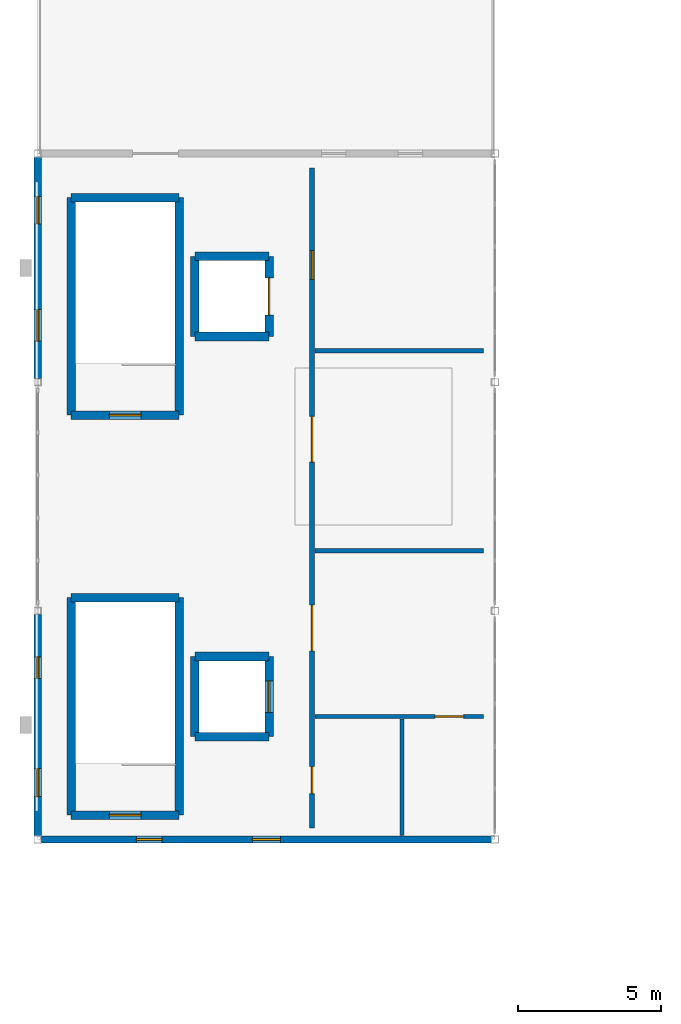
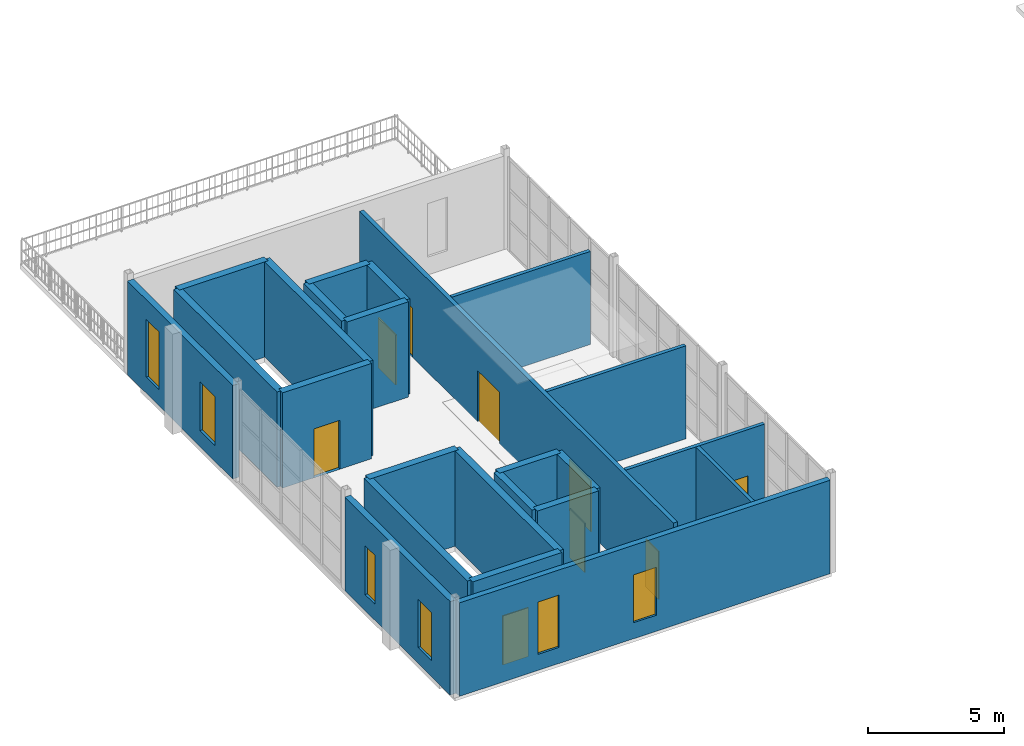
# One storey, part 5 of 9: 24 walls, 9 doors, 6 windows, 15 openings.
"""IFC4 building model written with IfcOpenShell, lengths in metres."""

from ifc_helpers import new_model, si_unit, direction, frame, frame_2d, origin, place, context, subcontext, project, spatial, rectangle, extrude, material, layer, layer_set, type_object, element, fill, save


model = new_model("IFC4")

# Units and contexts
model_context = context("Model", 3, precision=1e-05, world=origin(), true_north=direction((0.0, 1.0)))
body_context = subcontext(model_context, "Body", "Model", "MODEL_VIEW")
ifc_project = project(units=[si_unit("LENGTHUNIT", "METRE"), si_unit("AREAUNIT", "SQUARE_METRE"), si_unit("VOLUMEUNIT", "CUBIC_METRE"), si_unit("PLANEANGLEUNIT", "RADIAN"), si_unit("MASSUNIT", "GRAM", prefix="KILO")], contexts=[model_context])

# Site, building, storey
site_placement = place(None, origin())
site = spatial("IfcSite", under=ifc_project, at=site_placement, CompositionType="ELEMENT")
building_placement = place(site_placement, origin())
building = spatial("IfcBuilding", under=site, at=building_placement, Name="Serraluz Foothill Cableway Terminal", CompositionType="ELEMENT")
storey_placement = place(building_placement, frame((0.0, 0.0, 19.800048828125)))
storey = spatial("IfcBuildingStorey", under=building, at=storey_placement, Name="L04", CompositionType="ELEMENT", Elevation=19.800048828125)

# Wall, openings, windows
ifc_material_1 = material(Name="Andean basalt ashlar masonry (f'm 18 MPa)", Category="masonry")
ifc_layer_1 = layer(ifc_material_1, 0.239990234375, Name="Andean basalt ashlar masonry (f'm 18 MPa)", Category="masonry")
ifc_layer_set_1 = layer_set([ifc_layer_1], Name="Andean basalt ashlar masonry (f'm 18 MPa)")
wall_type_1 = type_object("IfcWallType", Name="TYP-WL-EXT-240", PredefinedType="STANDARD", material=ifc_layer_set_1)
wall_1_placement = place(storey_placement, frame((15.875, 32.0, 0.0), z_axis=(0.0, 0.0, 1.0), x_axis=(-1.0, 0.0, 0.0)))
wall_1 = element("IfcWall", 1, at=wall_1_placement, inside=storey, type_object=wall_type_1, Name="Exterior Masonry Wall EW-V5S-L04", PredefinedType="STANDARD", context=body_context, shape_type="SweptSolid", body=[
    extrude(rectangle(XDim=15.75, YDim=0.239990234375, at=frame_2d((7.875, 0.0))), origin(), (0.0, 0.0, 1.0), 4.199951171875),
])
opening_1_placement = place(wall_1_placement, frame((7.385009765625, 0.0, 0.719970703125)))
opening_1 = element("IfcOpeningElement", 2, at=opening_1_placement, cuts=wall_1, Name="Opening W-49", PredefinedType="OPENING", context=body_context, shape_type="SweptSolid", body=[
    extrude(rectangle(XDim=0.97998046875, YDim=2.14990234375, at=frame_2d((0.489990234375, 1.074951171875))), frame((0.0, 0.1298828125, 0.0), z_axis=(0.0, -1.0, 0.0), x_axis=(1.0, 0.0, 0.0)), (0.0, 0.0, 1.0), 0.260009765625),
])
opening_2_placement = place(wall_1_placement, frame((11.52001953125, 0.0, 0.719970703125)))
opening_2 = element("IfcOpeningElement", 3, at=opening_2_placement, cuts=wall_1, Name="Opening W-37", PredefinedType="OPENING", context=body_context, shape_type="SweptSolid", body=[
    extrude(rectangle(XDim=0.89990234375, YDim=2.35009765625, at=frame_2d((0.449951171875, 1.175048828125))), frame((0.0, 0.1298828125, 0.0), z_axis=(0.0, -1.0, 0.0), x_axis=(1.0, 0.0, 0.0)), (0.0, 0.0, 1.0), 0.260009765625),
])
ifc_material_2 = material(Name="Laminated low-E safety glass", Category="glass")
window_type_1 = type_object("IfcWindowType", Name="TYP-WN-090X235", PartitioningType="SINGLE_PANEL", PredefinedType="WINDOW", material=ifc_material_2)
window_1_placement = place(opening_2_placement, origin())
window_1 = element("IfcWindow", 4, at=window_1_placement, inside=storey, type_object=window_type_1, Name="Exterior Window EW-V5S-L04-WN3", OverallHeight=2.35009765625, OverallWidth=0.89990234375, PartitioningType="SINGLE_PANEL", PredefinedType="WINDOW", context=body_context, shape_type="SweptSolid", body=[
    extrude(rectangle(XDim=0.89990234375, YDim=2.35009765625, at=frame_2d((0.449951171875, 1.175048828125))), frame((0.0, 0.030029296875, 0.0), z_axis=(0.0, -1.0, 0.0), x_axis=(1.0, 0.0, 0.0)), (0.0, 0.0, 1.0), 0.06005859375),
])
fill(opening_2, window_1)
window_type_2 = type_object("IfcWindowType", Name="TYP-WN-098X215", PartitioningType="SINGLE_PANEL", PredefinedType="WINDOW", material=ifc_material_2)
window_2_placement = place(opening_1_placement, origin())
window_2 = element("IfcWindow", 5, at=window_2_placement, inside=storey, type_object=window_type_2, Name="Exterior Window EW-V5S-L04-WN2", OverallHeight=2.14990234375, OverallWidth=0.97998046875, PartitioningType="SINGLE_PANEL", PredefinedType="WINDOW", context=body_context, shape_type="SweptSolid", body=[
    extrude(rectangle(XDim=0.97998046875, YDim=2.14990234375, at=frame_2d((0.489990234375, 1.074951171875))), frame((0.0, 0.030029296875, 0.0), z_axis=(0.0, -1.0, 0.0), x_axis=(1.0, 0.0, 0.0)), (0.0, 0.0, 1.0), 0.06005859375),
])
fill(opening_1, window_2)

ifc_material_3 = material(Name="Fired clay masonry brick (f'm 12 MPa)", Category="masonry")
ifc_layer_2 = layer(ifc_material_3, 0.260009765625, Name="Fired clay masonry brick (f'm 12 MPa)", Category="masonry")
ifc_layer_set_2 = layer_set([ifc_layer_2], Name="Fired clay masonry brick (f'm 12 MPa)")
wall_type_2 = type_object("IfcWallType", Name="TYP-WL-EXT-260", PredefinedType="STANDARD", material=ifc_layer_set_2)
wall_2_placement = place(storey_placement, frame((0.0, 32.125, 0.0), z_axis=(0.0, 0.0, 1.0), x_axis=(0.0, 1.0, 0.0)))
wall_2 = element("IfcWall", 6, at=wall_2_placement, inside=storey, type_object=wall_type_2, Name="Exterior Masonry Wall EW-V5W-L04-32", PredefinedType="STANDARD", context=body_context, shape_type="SweptSolid", body=[
    extrude(rectangle(XDim=7.75, YDim=0.260009765625, at=frame_2d((3.875, 0.0))), origin(), (0.0, 0.0, 1.0), 4.199951171875),
])
opening_3_placement = place(wall_2_placement, frame((1.3701171875, 0.0, 0.719970703125)))
opening_3 = element("IfcOpeningElement", 7, at=opening_3_placement, cuts=wall_2, Name="Opening W-49", PredefinedType="OPENING", context=body_context, shape_type="SweptSolid", body=[
    extrude(rectangle(XDim=0.97998046875, YDim=2.14990234375, at=frame_2d((0.489990234375, 1.074951171875))), frame((0.0, 0.14013671875, 0.0), z_axis=(0.0, -1.0, 0.0), x_axis=(1.0, 0.0, 0.0)), (0.0, 0.0, 1.0), 0.280029296875),
])
opening_4_placement = place(wall_2_placement, frame((5.514892578125, 0.0, 0.719970703125)))
opening_4 = element("IfcOpeningElement", 8, at=opening_4_placement, cuts=wall_2, Name="Opening W-01", PredefinedType="OPENING", context=body_context, shape_type="SweptSolid", body=[
    extrude(rectangle(XDim=0.75, YDim=2.199951171875, at=frame_2d((0.375, 1.10009765625))), frame((0.0, 0.14013671875, 0.0), z_axis=(0.0, -1.0, 0.0), x_axis=(1.0, 0.0, 0.0)), (0.0, 0.0, 1.0), 0.280029296875),
])
window_type_3 = type_object("IfcWindowType", Name="TYP-WN-075X220", PartitioningType="SINGLE_PANEL", PredefinedType="WINDOW", material=ifc_material_2)
window_3_placement = place(opening_4_placement, origin())
window_3 = element("IfcWindow", 9, at=window_3_placement, inside=storey, type_object=window_type_3, Name="Exterior Window EW-V5W-L04-32-WN3", OverallHeight=2.199951171875, OverallWidth=0.75, PartitioningType="SINGLE_PANEL", PredefinedType="WINDOW", context=body_context, shape_type="SweptSolid", body=[
    extrude(rectangle(XDim=0.75, YDim=2.199951171875, at=frame_2d((0.375, 1.10009765625))), frame((0.0, 0.030029296875, 0.0), z_axis=(0.0, -1.0, 0.0), x_axis=(1.0, 0.0, 0.0)), (0.0, 0.0, 1.0), 0.06005859375),
])
fill(opening_4, window_3)
window_4_placement = place(opening_3_placement, origin())
window_4 = element("IfcWindow", 10, at=window_4_placement, inside=storey, type_object=window_type_2, Name="Exterior Window EW-V5W-L04-32-WN1", OverallHeight=2.14990234375, OverallWidth=0.97998046875, PartitioningType="SINGLE_PANEL", PredefinedType="WINDOW", context=body_context, shape_type="SweptSolid", body=[
    extrude(rectangle(XDim=0.97998046875, YDim=2.14990234375, at=frame_2d((0.489990234375, 1.074951171875))), frame((0.0, 0.030029296875, 0.0), z_axis=(0.0, -1.0, 0.0), x_axis=(1.0, 0.0, 0.0)), (0.0, 0.0, 1.0), 0.06005859375),
])
fill(opening_3, window_4)

wall_3_placement = place(storey_placement, frame((0.0, 48.125, 0.0), z_axis=(0.0, 0.0, 1.0), x_axis=(0.0, 1.0, 0.0)))
wall_3 = element("IfcWall", 11, at=wall_3_placement, inside=storey, type_object=wall_type_2, Name="Exterior Masonry Wall EW-V5W-L04-48", PredefinedType="STANDARD", context=body_context, shape_type="SweptSolid", body=[
    extrude(rectangle(XDim=7.75, YDim=0.260009765625, at=frame_2d((3.875, 0.0))), origin(), (0.0, 0.0, 1.0), 4.199951171875),
])
opening_5_placement = place(wall_3_placement, frame((1.31005859375, 0.0, 0.719970703125)))
opening_5 = element("IfcOpeningElement", 12, at=opening_5_placement, cuts=wall_3, Name="Opening W-04", PredefinedType="OPENING", context=body_context, shape_type="SweptSolid", body=[
    extrude(rectangle(XDim=1.10009765625, YDim=2.199951171875, at=frame_2d((0.550048828125, 1.10009765625))), frame((0.0, 0.14013671875, 0.0), z_axis=(0.0, -1.0, 0.0), x_axis=(1.0, 0.0, 0.0)), (0.0, 0.0, 1.0), 0.280029296875),
])
opening_6_placement = place(wall_3_placement, frame((5.4150390625, 0.0, 0.719970703125)))
opening_6 = element("IfcOpeningElement", 13, at=opening_6_placement, cuts=wall_3, Name="Opening W-03", PredefinedType="OPENING", context=body_context, shape_type="SweptSolid", body=[
    extrude(rectangle(XDim=0.949951171875, YDim=2.60009765625, at=frame_2d((0.47509765625, 1.300048828125))), frame((0.0, 0.14013671875, 0.0), z_axis=(0.0, -1.0, 0.0), x_axis=(1.0, 0.0, 0.0)), (0.0, 0.0, 1.0), 0.280029296875),
])
window_type_4 = type_object("IfcWindowType", Name="TYP-WN-095X260", PartitioningType="SINGLE_PANEL", PredefinedType="WINDOW", material=ifc_material_2)
window_5_placement = place(opening_6_placement, origin())
window_5 = element("IfcWindow", 14, at=window_5_placement, inside=storey, type_object=window_type_4, Name="Exterior Window EW-V5W-L04-48-WN3", OverallHeight=2.60009765625, OverallWidth=0.949951171875, PartitioningType="SINGLE_PANEL", PredefinedType="WINDOW", context=body_context, shape_type="SweptSolid", body=[
    extrude(rectangle(XDim=0.949951171875, YDim=2.60009765625, at=frame_2d((0.47509765625, 1.300048828125))), frame((0.0, 0.030029296875, 0.0), z_axis=(0.0, -1.0, 0.0), x_axis=(1.0, 0.0, 0.0)), (0.0, 0.0, 1.0), 0.06005859375),
])
fill(opening_6, window_5)
window_type_5 = type_object("IfcWindowType", Name="TYP-WN-110X220", PartitioningType="SINGLE_PANEL", PredefinedType="WINDOW", material=ifc_material_2)
window_6_placement = place(opening_5_placement, origin())
window_6 = element("IfcWindow", 15, at=window_6_placement, inside=storey, type_object=window_type_5, Name="Exterior Window EW-V5W-L04-48-WN1", OverallHeight=2.199951171875, OverallWidth=1.10009765625, PartitioningType="SINGLE_PANEL", PredefinedType="WINDOW", context=body_context, shape_type="SweptSolid", body=[
    extrude(rectangle(XDim=1.10009765625, YDim=2.199951171875, at=frame_2d((0.550048828125, 1.10009765625))), frame((0.0, 0.030029296875, 0.0), z_axis=(0.0, -1.0, 0.0), x_axis=(1.0, 0.0, 0.0)), (0.0, 0.0, 1.0), 0.06005859375),
])
fill(opening_5, window_6)

# Walls
ifc_material_4 = material(Name="Lightweight gypsum and steel stud partition", Category="steel")
ifc_layer_3 = layer(ifc_material_4, 0.14990234375, Name="Lightweight gypsum and steel stud partition", Category="steel")
ifc_layer_set_3 = layer_set([ifc_layer_3], Name="Lightweight gypsum and steel stud partition")
wall_type_3 = type_object("IfcWallType", Name="TYP-WL-PRT-150", PredefinedType="PARTITIONING", material=ifc_layer_set_3)
for number, where, z_axis, x_axis, name in (
    (16, (9.699951171875, 49.10009765625, 0.0), (0.0, 0.0, 1.0), (1.0, 0.0, 0.0), "Interior Partition PT-L04-02"),
    (17, (9.699951171875, 42.10009765625, 0.0), (0.0, 0.0, 1.0), (1.0, 0.0, 0.0), "Interior Partition PT-L04-03"),
):
    element("IfcWall", number, at=place(storey_placement, frame(where, z_axis=z_axis, x_axis=x_axis)), inside=storey, type_object=wall_type_3, Name=name, PredefinedType="PARTITIONING", context=body_context, shape_type="SweptSolid", body=[
        extrude(rectangle(XDim=5.900146484375, YDim=0.14990234375, at=frame_2d((2.9501953125, 0.0))), origin(), (0.0, 0.0, 1.0), 4.179931640625),
    ])

# Wall, opening, door
wall_4_placement = place(storey_placement, frame((9.699951171875, 36.300048828125, 0.0), z_axis=(0.0, 0.0, 1.0), x_axis=(1.0, 0.0, 0.0)))
wall_4 = element("IfcWall", 18, at=wall_4_placement, inside=storey, type_object=wall_type_3, Name="Interior Partition PT-L04-04", PredefinedType="PARTITIONING", context=body_context, shape_type="SweptSolid", body=[
    extrude(rectangle(XDim=5.900146484375, YDim=0.14990234375, at=frame_2d((2.9501953125, 0.0))), origin(), (0.0, 0.0, 1.0), 4.179931640625),
])
opening_7_placement = place(wall_4_placement, frame((4.199951171875, 0.0, 0.0)))
opening_7 = element("IfcOpeningElement", 19, at=opening_7_placement, cuts=wall_4, Name="Opening DI-04", PredefinedType="OPENING", context=body_context, shape_type="SweptSolid", body=[
    extrude(rectangle(XDim=1.0, YDim=2.10009765625, at=frame_2d((0.5, 1.050048828125))), frame((0.0, 0.0849609375, 0.0), z_axis=(0.0, -1.0, 0.0), x_axis=(1.0, 0.0, 0.0)), (0.0, 0.0, 1.0), 0.169921875),
])
ifc_material_5 = material(Name="Kiln-dried Andean oak hardwood", Category="wood")
door_type_1 = type_object("IfcDoorType", Name="TYP-DR-ACC-1000", OperationType="NOTDEFINED", PredefinedType="DOOR", material=ifc_material_5)
door_1_placement = place(opening_7_placement, origin())
door_1 = element("IfcDoor", 20, at=door_1_placement, inside=storey, type_object=door_type_1, Name="Interior Door PT-L04-04-DR1", OperationType="SINGLE_SWING_LEFT", OverallHeight=2.10009765625, OverallWidth=1.0, PredefinedType="DOOR", context=body_context, shape_type="SweptSolid", body=[
    extrude(rectangle(XDim=1.0, YDim=2.10009765625, at=frame_2d((0.5, 1.050048828125))), frame((0.0, 0.02490234375, 0.0), z_axis=(0.0, -1.0, 0.0), x_axis=(1.0, 0.0, 0.0)), (0.0, 0.0, 1.0), 0.050048828125),
])
fill(opening_7, door_1)

# Wall
wall_5_placement = place(storey_placement, frame((12.75, 32.1298828125, 0.0), z_axis=(0.0, 0.0, 1.0), x_axis=(0.0, 1.0, 0.0)))
element("IfcWall", 21, at=wall_5_placement, inside=storey, type_object=wall_type_3, Name="Interior Partition PT-L04-05E", PredefinedType="PARTITIONING", context=body_context, shape_type="SweptSolid", body=[
    extrude(rectangle(XDim=4.090087890625, YDim=0.14990234375, at=frame_2d((2.044921875, 0.0))), origin(), (0.0, 0.0, 1.0), 4.179931640625),
])

# Wall, openings, doors
ifc_layer_4 = layer(ifc_material_3, 0.179931640625, Name="Fired clay masonry brick (f'm 12 MPa)", Category="masonry")
ifc_layer_set_4 = layer_set([ifc_layer_4], Name="Fired clay masonry brick (f'm 12 MPa)")
wall_type_4 = type_object("IfcWallType", Name="TYP-WL-PRT-180", PredefinedType="PARTITIONING", material=ifc_layer_set_4)
wall_6_placement = place(storey_placement, frame((9.60009765625, 32.39990234375, 0.0), z_axis=(0.0, 0.0, 1.0), x_axis=(0.0, 1.0, 0.0)))
wall_6 = element("IfcWall", 22, at=wall_6_placement, inside=storey, type_object=wall_type_4, Name="Interior Partition PT-L04-01", PredefinedType="PARTITIONING", context=body_context, shape_type="SweptSolid", body=[
    extrude(rectangle(XDim=23.10009765625, YDim=0.179931640625, at=frame_2d((11.550048828125, 0.0))), origin(), (0.0, 0.0, 1.0), 4.179931640625),
])
opening_8_placement = place(wall_6_placement, frame((1.199951171875, 0.0, 0.0)))
opening_8 = element("IfcOpeningElement", 23, at=opening_8_placement, cuts=wall_6, Name="Opening DI-02", PredefinedType="OPENING", context=body_context, shape_type="SweptSolid", body=[
    extrude(rectangle(XDim=0.949951171875, YDim=2.14990234375, at=frame_2d((0.47509765625, 1.074951171875))), frame((0.0, 0.10009765625, 0.0), z_axis=(0.0, -1.0, 0.0), x_axis=(1.0, 0.0, 0.0)), (0.0, 0.0, 1.0), 0.199951171875),
])
opening_9_placement = place(wall_6_placement, frame((6.199951171875, 0.0, 0.0)))
opening_9 = element("IfcOpeningElement", 24, at=opening_9_placement, cuts=wall_6, Name="Opening DI-05", PredefinedType="OPENING", context=body_context, shape_type="SweptSolid", body=[
    extrude(rectangle(XDim=1.60009765625, YDim=2.300048828125, at=frame_2d((0.800048828125, 1.14990234375))), frame((0.0, 0.10009765625, 0.0), z_axis=(0.0, -1.0, 0.0), x_axis=(1.0, 0.0, 0.0)), (0.0, 0.0, 1.0), 0.199951171875),
])
opening_10_placement = place(wall_6_placement, frame((12.800048828125, 0.0, 0.0)))
opening_10 = element("IfcOpeningElement", 25, at=opening_10_placement, cuts=wall_6, Name="Opening DI-05", PredefinedType="OPENING", context=body_context, shape_type="SweptSolid", body=[
    extrude(rectangle(XDim=1.60009765625, YDim=2.300048828125, at=frame_2d((0.800048828125, 1.14990234375))), frame((0.0, 0.10009765625, 0.0), z_axis=(0.0, -1.0, 0.0), x_axis=(1.0, 0.0, 0.0)), (0.0, 0.0, 1.0), 0.199951171875),
])
opening_11_placement = place(wall_6_placement, frame((19.199951171875, 0.0, 0.0)))
opening_11 = element("IfcOpeningElement", 26, at=opening_11_placement, cuts=wall_6, Name="Opening DI-03", PredefinedType="OPENING", context=body_context, shape_type="SweptSolid", body=[
    extrude(rectangle(XDim=1.0, YDim=2.199951171875, at=frame_2d((0.5, 1.10009765625))), frame((0.0, 0.10009765625, 0.0), z_axis=(0.0, -1.0, 0.0), x_axis=(1.0, 0.0, 0.0)), (0.0, 0.0, 1.0), 0.199951171875),
])
ifc_material_6 = material(Name="Architectural bronze alloy C28000", Category="aluminium")
door_type_2 = type_object("IfcDoorType", Name="TYP-DR-DBL-1600", OperationType="DOUBLE_DOOR_SINGLE_SWING", PredefinedType="DOOR", material=ifc_material_6)
door_2_placement = place(opening_9_placement, origin())
door_2 = element("IfcDoor", 27, at=door_2_placement, inside=storey, type_object=door_type_2, Name="Interior Door PT-L04-01-DR2", OperationType="DOUBLE_DOOR_SINGLE_SWING", OverallHeight=2.300048828125, OverallWidth=1.60009765625, PredefinedType="DOOR", context=body_context, shape_type="SweptSolid", body=[
    extrude(rectangle(XDim=1.60009765625, YDim=2.300048828125, at=frame_2d((0.800048828125, 1.14990234375))), frame((0.0, 0.02490234375, 0.0), z_axis=(0.0, -1.0, 0.0), x_axis=(1.0, 0.0, 0.0)), (0.0, 0.0, 1.0), 0.050048828125),
])
fill(opening_9, door_2)
door_3_placement = place(opening_10_placement, origin())
door_3 = element("IfcDoor", 28, at=door_3_placement, inside=storey, type_object=door_type_2, Name="Interior Door PT-L04-01-DR3", OperationType="DOUBLE_DOOR_SINGLE_SWING", OverallHeight=2.300048828125, OverallWidth=1.60009765625, PredefinedType="DOOR", context=body_context, shape_type="SweptSolid", body=[
    extrude(rectangle(XDim=1.60009765625, YDim=2.300048828125, at=frame_2d((0.800048828125, 1.14990234375))), frame((0.0, 0.02490234375, 0.0), z_axis=(0.0, -1.0, 0.0), x_axis=(1.0, 0.0, 0.0)), (0.0, 0.0, 1.0), 0.050048828125),
])
fill(opening_10, door_3)
door_type_3 = type_object("IfcDoorType", Name="TYP-DR-SGL-1000", OperationType="NOTDEFINED", PredefinedType="DOOR", material=ifc_material_5)
door_4_placement = place(opening_11_placement, origin())
door_4 = element("IfcDoor", 29, at=door_4_placement, inside=storey, type_object=door_type_3, Name="Interior Door PT-L04-01-DR4", OperationType="SINGLE_SWING_RIGHT", OverallHeight=2.199951171875, OverallWidth=1.0, PredefinedType="DOOR", context=body_context, shape_type="SweptSolid", body=[
    extrude(rectangle(XDim=1.0, YDim=2.199951171875, at=frame_2d((0.5, 1.10009765625))), frame((0.0, 0.02490234375, 0.0), z_axis=(0.0, -1.0, 0.0), x_axis=(1.0, 0.0, 0.0)), (0.0, 0.0, 1.0), 0.050048828125),
])
fill(opening_11, door_4)
door_type_4 = type_object("IfcDoorType", Name="TYP-DR-SGL-950", OperationType="NOTDEFINED", PredefinedType="DOOR", material=ifc_material_5)
door_5_placement = place(opening_8_placement, origin())
door_5 = element("IfcDoor", 30, at=door_5_placement, inside=storey, type_object=door_type_4, Name="Interior Door PT-L04-01-DR1", OperationType="SINGLE_SWING_LEFT", OverallHeight=2.14990234375, OverallWidth=0.949951171875, PredefinedType="DOOR", context=body_context, shape_type="SweptSolid", body=[
    extrude(rectangle(XDim=0.949951171875, YDim=2.14990234375, at=frame_2d((0.47509765625, 1.074951171875))), frame((0.0, 0.02490234375, 0.0), z_axis=(0.0, -1.0, 0.0), x_axis=(1.0, 0.0, 0.0)), (0.0, 0.0, 1.0), 0.050048828125),
])
fill(opening_8, door_5)

# Wall, opening, door
ifc_material_7 = material(Name="Concrete C35/45 (f'c 35 MPa)", Category="concrete")
ifc_layer_5 = layer(ifc_material_7, 0.300048828125, Name="Concrete C35/45 (f'c 35 MPa)", Category="concrete")
ifc_layer_set_5 = layer_set([ifc_layer_5], Name="Concrete C35/45 (f'c 35 MPa)")
wall_type_5 = type_object("IfcWallType", Name="TYP-WL-SHR-350", PredefinedType="SHEAR", material=ifc_layer_set_5)
wall_7_placement = place(storey_placement, frame((4.949951171875, 46.85009765625, 0.0), z_axis=(0.0, 0.0, 1.0), x_axis=(-1.0, 0.0, 0.0)))
wall_7 = element("IfcWall", 31, at=wall_7_placement, inside=storey, type_object=wall_type_5, Name="Stair Core Shear Wall CW-ST-01-L04-S", PredefinedType="SHEAR", context=body_context, shape_type="SweptSolid", body=[
    extrude(rectangle(XDim=3.780029296875, YDim=0.300048828125, at=frame_2d((1.89013671875, 0.0))), origin(), (0.0, 0.0, 1.0), 4.280029296875),
])
opening_12_placement = place(wall_7_placement, frame((1.340087890625, 0.0, 0.0)))
opening_12 = element("IfcOpeningElement", 32, at=opening_12_placement, cuts=wall_7, Name="Opening DF-07", PredefinedType="OPENING", context=body_context, shape_type="SweptSolid", body=[
    extrude(rectangle(XDim=1.10009765625, YDim=2.199951171875, at=frame_2d((0.550048828125, 1.10009765625))), frame((0.0, 0.16015625, 0.0), z_axis=(0.0, -1.0, 0.0), x_axis=(1.0, 0.0, 0.0)), (0.0, 0.0, 1.0), 0.320068359375),
])
ifc_material_8 = material(Name="Galvanized hollow-metal steel sheet", Category="steel")
door_type_5 = type_object("IfcDoorType", Name="TYP-DR-FD60-1100", OperationType="NOTDEFINED", PredefinedType="DOOR", material=ifc_material_8)
door_6_placement = place(opening_12_placement, origin())
door_6 = element("IfcDoor", 33, at=door_6_placement, inside=storey, type_object=door_type_5, Name="Exit Stair Fire Door ST-01 L04", OperationType="SINGLE_SWING_RIGHT", OverallHeight=2.199951171875, OverallWidth=1.10009765625, PredefinedType="DOOR", context=body_context, shape_type="SweptSolid", body=[
    extrude(rectangle(XDim=1.10009765625, YDim=2.199951171875, at=frame_2d((0.550048828125, 1.10009765625))), frame((0.0, 0.02490234375, 0.0), z_axis=(0.0, -1.0, 0.0), x_axis=(1.0, 0.0, 0.0)), (0.0, 0.0, 1.0), 0.050048828125),
])
fill(opening_12, door_6)

# Walls
wall_8_placement = place(storey_placement, frame((1.169921875, 46.85009765625, 0.0), z_axis=(0.0, 0.0, 1.0), x_axis=(0.0, 1.0, 0.0)))
element("IfcWall", 34, at=wall_8_placement, inside=storey, type_object=wall_type_5, Name="Stair Core Shear Wall CW-ST-01-L04-W", PredefinedType="SHEAR", context=body_context, shape_type="SweptSolid", body=[
    extrude(rectangle(XDim=7.60986328125, YDim=0.300048828125, at=frame_2d((3.804931640625, 0.0))), origin(), (0.0, 0.0, 1.0), 4.280029296875),
])
wall_9_placement = place(storey_placement, frame((1.169921875, 54.4599609375, 0.0), z_axis=(0.0, 0.0, 1.0), x_axis=(1.0, 0.0, 0.0)))
element("IfcWall", 35, at=wall_9_placement, inside=storey, type_object=wall_type_5, Name="Stair Core Shear Wall CW-ST-01-L04-N", PredefinedType="SHEAR", context=body_context, shape_type="SweptSolid", body=[
    extrude(rectangle(XDim=3.780029296875, YDim=0.300048828125, at=frame_2d((1.89013671875, 0.0))), origin(), (0.0, 0.0, 1.0), 4.280029296875),
])
wall_10_placement = place(storey_placement, frame((4.949951171875, 54.4599609375, 0.0), z_axis=(0.0, 0.0, 1.0), x_axis=(0.0, -1.0, 0.0)))
element("IfcWall", 36, at=wall_10_placement, inside=storey, type_object=wall_type_5, Name="Stair Core Shear Wall CW-ST-01-L04-E", PredefinedType="SHEAR", context=body_context, shape_type="SweptSolid", body=[
    extrude(rectangle(XDim=7.60986328125, YDim=0.300048828125, at=frame_2d((3.804931640625, 0.0))), origin(), (0.0, 0.0, 1.0), 4.280029296875),
])

# Wall, opening, door
wall_11_placement = place(storey_placement, frame((4.949951171875, 32.85009765625, 0.0), z_axis=(0.0, 0.0, 1.0), x_axis=(-1.0, 0.0, 0.0)))
wall_11 = element("IfcWall", 37, at=wall_11_placement, inside=storey, type_object=wall_type_5, Name="Stair Core Shear Wall CW-ST-02-L04-S", PredefinedType="SHEAR", context=body_context, shape_type="SweptSolid", body=[
    extrude(rectangle(XDim=3.780029296875, YDim=0.300048828125, at=frame_2d((1.89013671875, 0.0))), origin(), (0.0, 0.0, 1.0), 4.280029296875),
])
opening_13_placement = place(wall_11_placement, frame((1.340087890625, 0.0, 0.0)))
opening_13 = element("IfcOpeningElement", 38, at=opening_13_placement, cuts=wall_11, Name="Opening DF-07", PredefinedType="OPENING", context=body_context, shape_type="SweptSolid", body=[
    extrude(rectangle(XDim=1.10009765625, YDim=2.199951171875, at=frame_2d((0.550048828125, 1.10009765625))), frame((0.0, 0.16015625, 0.0), z_axis=(0.0, -1.0, 0.0), x_axis=(1.0, 0.0, 0.0)), (0.0, 0.0, 1.0), 0.320068359375),
])
door_7_placement = place(opening_13_placement, origin())
door_7 = element("IfcDoor", 39, at=door_7_placement, inside=storey, type_object=door_type_5, Name="Exit Stair Fire Door ST-02 L04", OperationType="SINGLE_SWING_LEFT", OverallHeight=2.199951171875, OverallWidth=1.10009765625, PredefinedType="DOOR", context=body_context, shape_type="SweptSolid", body=[
    extrude(rectangle(XDim=1.10009765625, YDim=2.199951171875, at=frame_2d((0.550048828125, 1.10009765625))), frame((0.0, 0.02490234375, 0.0), z_axis=(0.0, -1.0, 0.0), x_axis=(1.0, 0.0, 0.0)), (0.0, 0.0, 1.0), 0.050048828125),
])
fill(opening_13, door_7)

# Walls
wall_12_placement = place(storey_placement, frame((1.169921875, 32.85009765625, 0.0), z_axis=(0.0, 0.0, 1.0), x_axis=(0.0, 1.0, 0.0)))
element("IfcWall", 40, at=wall_12_placement, inside=storey, type_object=wall_type_5, Name="Stair Core Shear Wall CW-ST-02-L04-W", PredefinedType="SHEAR", context=body_context, shape_type="SweptSolid", body=[
    extrude(rectangle(XDim=7.60986328125, YDim=0.300048828125, at=frame_2d((3.804931640625, 0.0))), origin(), (0.0, 0.0, 1.0), 4.280029296875),
])
wall_13_placement = place(storey_placement, frame((1.169921875, 40.4599609375, 0.0), z_axis=(0.0, 0.0, 1.0), x_axis=(1.0, 0.0, 0.0)))
element("IfcWall", 41, at=wall_13_placement, inside=storey, type_object=wall_type_5, Name="Stair Core Shear Wall CW-ST-02-L04-N", PredefinedType="SHEAR", context=body_context, shape_type="SweptSolid", body=[
    extrude(rectangle(XDim=3.780029296875, YDim=0.300048828125, at=frame_2d((1.89013671875, 0.0))), origin(), (0.0, 0.0, 1.0), 4.280029296875),
])
wall_14_placement = place(storey_placement, frame((4.949951171875, 40.4599609375, 0.0), z_axis=(0.0, 0.0, 1.0), x_axis=(0.0, -1.0, 0.0)))
element("IfcWall", 42, at=wall_14_placement, inside=storey, type_object=wall_type_5, Name="Stair Core Shear Wall CW-ST-02-L04-E", PredefinedType="SHEAR", context=body_context, shape_type="SweptSolid", body=[
    extrude(rectangle(XDim=7.60986328125, YDim=0.300048828125, at=frame_2d((3.804931640625, 0.0))), origin(), (0.0, 0.0, 1.0), 4.280029296875),
])
wall_15_placement = place(storey_placement, frame((8.10009765625, 49.60009765625, 0.0), z_axis=(0.0, 0.0, 1.0), x_axis=(-1.0, 0.0, 0.0)))
element("IfcWall", 43, at=wall_15_placement, inside=storey, type_object=wall_type_5, Name="Lift Shaft Shear Wall LW-LF-01-L04-S", PredefinedType="SHEAR", context=body_context, shape_type="SweptSolid", body=[
    extrude(rectangle(XDim=2.60009765625, YDim=0.300048828125, at=frame_2d((1.300048828125, 0.0))), origin(), (0.0, 0.0, 1.0), 4.280029296875),
])
wall_16_placement = place(storey_placement, frame((5.5, 49.60009765625, 0.0), z_axis=(0.0, 0.0, 1.0), x_axis=(0.0, 1.0, 0.0)))
element("IfcWall", 44, at=wall_16_placement, inside=storey, type_object=wall_type_5, Name="Lift Shaft Shear Wall LW-LF-01-L04-W", PredefinedType="SHEAR", context=body_context, shape_type="SweptSolid", body=[
    extrude(rectangle(XDim=2.7998046875, YDim=0.300048828125, at=frame_2d((1.39990234375, 0.0))), origin(), (0.0, 0.0, 1.0), 4.280029296875),
])
wall_17_placement = place(storey_placement, frame((5.5, 52.39990234375, 0.0), z_axis=(0.0, 0.0, 1.0), x_axis=(1.0, 0.0, 0.0)))
element("IfcWall", 45, at=wall_17_placement, inside=storey, type_object=wall_type_5, Name="Lift Shaft Shear Wall LW-LF-01-L04-N", PredefinedType="SHEAR", context=body_context, shape_type="SweptSolid", body=[
    extrude(rectangle(XDim=2.60009765625, YDim=0.300048828125, at=frame_2d((1.300048828125, 0.0))), origin(), (0.0, 0.0, 1.0), 4.280029296875),
])

# Wall, opening, door
wall_18_placement = place(storey_placement, frame((8.10009765625, 52.39990234375, 0.0), z_axis=(0.0, 0.0, 1.0), x_axis=(0.0, -1.0, 0.0)))
wall_18 = element("IfcWall", 46, at=wall_18_placement, inside=storey, type_object=wall_type_5, Name="Lift Shaft Shear Wall LW-LF-01-L04-E", PredefinedType="SHEAR", context=body_context, shape_type="SweptSolid", body=[
    extrude(rectangle(XDim=2.7998046875, YDim=0.300048828125, at=frame_2d((1.39990234375, 0.0))), origin(), (0.0, 0.0, 1.0), 4.280029296875),
])
opening_14_placement = place(wall_18_placement, frame((0.75, 0.0, 0.0)))
opening_14 = element("IfcOpeningElement", 47, at=opening_14_placement, cuts=wall_18, Name="Opening LD-02", PredefinedType="OPENING", context=body_context, shape_type="SweptSolid", body=[
    extrude(rectangle(XDim=1.300048828125, YDim=2.25, at=frame_2d((0.64990234375, 1.125))), frame((0.0, 0.16015625, 0.0), z_axis=(0.0, -1.0, 0.0), x_axis=(1.0, 0.0, 0.0)), (0.0, 0.0, 1.0), 0.320068359375),
])
door_type_6 = type_object("IfcDoorType", Name="TYP-DR-LD-1300", OperationType="DOUBLE_DOOR_SLIDING", PredefinedType="DOOR", material=ifc_material_8)
door_8_placement = place(opening_14_placement, origin())
door_8 = element("IfcDoor", 48, at=door_8_placement, inside=storey, type_object=door_type_6, Name="Lift Sliding Landing Door LF-01 L04", OperationType="DOUBLE_DOOR_SLIDING", OverallHeight=2.25, OverallWidth=1.300048828125, PredefinedType="DOOR", context=body_context, shape_type="SweptSolid", body=[
    extrude(rectangle(XDim=1.300048828125, YDim=2.25, at=frame_2d((0.64990234375, 1.125))), frame((0.0, 0.02490234375, 0.0), z_axis=(0.0, -1.0, 0.0), x_axis=(1.0, 0.0, 0.0)), (0.0, 0.0, 1.0), 0.050048828125),
])
fill(opening_14, door_8)

# Walls
wall_19_placement = place(storey_placement, frame((8.10009765625, 35.60009765625, 0.0), z_axis=(0.0, 0.0, 1.0), x_axis=(-1.0, 0.0, 0.0)))
element("IfcWall", 49, at=wall_19_placement, inside=storey, type_object=wall_type_5, Name="Lift Shaft Shear Wall LW-LF-02-L04-S", PredefinedType="SHEAR", context=body_context, shape_type="SweptSolid", body=[
    extrude(rectangle(XDim=2.60009765625, YDim=0.300048828125, at=frame_2d((1.300048828125, 0.0))), origin(), (0.0, 0.0, 1.0), 4.280029296875),
])
wall_20_placement = place(storey_placement, frame((5.5, 35.60009765625, 0.0), z_axis=(0.0, 0.0, 1.0), x_axis=(0.0, 1.0, 0.0)))
element("IfcWall", 50, at=wall_20_placement, inside=storey, type_object=wall_type_5, Name="Lift Shaft Shear Wall LW-LF-02-L04-W", PredefinedType="SHEAR", context=body_context, shape_type="SweptSolid", body=[
    extrude(rectangle(XDim=2.7998046875, YDim=0.300048828125, at=frame_2d((1.39990234375, 0.0))), origin(), (0.0, 0.0, 1.0), 4.280029296875),
])
wall_21_placement = place(storey_placement, frame((5.5, 38.39990234375, 0.0), z_axis=(0.0, 0.0, 1.0), x_axis=(1.0, 0.0, 0.0)))
element("IfcWall", 51, at=wall_21_placement, inside=storey, type_object=wall_type_5, Name="Lift Shaft Shear Wall LW-LF-02-L04-N", PredefinedType="SHEAR", context=body_context, shape_type="SweptSolid", body=[
    extrude(rectangle(XDim=2.60009765625, YDim=0.300048828125, at=frame_2d((1.300048828125, 0.0))), origin(), (0.0, 0.0, 1.0), 4.280029296875),
])

# Wall, opening, door
wall_22_placement = place(storey_placement, frame((8.10009765625, 38.39990234375, 0.0), z_axis=(0.0, 0.0, 1.0), x_axis=(0.0, -1.0, 0.0)))
wall_22 = element("IfcWall", 52, at=wall_22_placement, inside=storey, type_object=wall_type_5, Name="Lift Shaft Shear Wall LW-LF-02-L04-E", PredefinedType="SHEAR", context=body_context, shape_type="SweptSolid", body=[
    extrude(rectangle(XDim=2.7998046875, YDim=0.300048828125, at=frame_2d((1.39990234375, 0.0))), origin(), (0.0, 0.0, 1.0), 4.280029296875),
])
opening_15_placement = place(wall_22_placement, frame((0.85009765625, 0.0, 0.0)))
opening_15 = element("IfcOpeningElement", 53, at=opening_15_placement, cuts=wall_22, Name="Opening LD-01", PredefinedType="OPENING", context=body_context, shape_type="SweptSolid", body=[
    extrude(rectangle(XDim=1.10009765625, YDim=2.199951171875, at=frame_2d((0.550048828125, 1.10009765625))), frame((0.0, 0.16015625, 0.0), z_axis=(0.0, -1.0, 0.0), x_axis=(1.0, 0.0, 0.0)), (0.0, 0.0, 1.0), 0.320068359375),
])
door_type_7 = type_object("IfcDoorType", Name="TYP-DR-LD-1100", OperationType="DOUBLE_DOOR_SLIDING", PredefinedType="DOOR", material=ifc_material_8)
door_9_placement = place(opening_15_placement, origin())
door_9 = element("IfcDoor", 54, at=door_9_placement, inside=storey, type_object=door_type_7, Name="Lift Sliding Landing Door LF-02 L04", OperationType="DOUBLE_DOOR_SLIDING", OverallHeight=2.199951171875, OverallWidth=1.10009765625, PredefinedType="DOOR", context=body_context, shape_type="SweptSolid", body=[
    extrude(rectangle(XDim=1.10009765625, YDim=2.199951171875, at=frame_2d((0.550048828125, 1.10009765625))), frame((0.0, 0.02490234375, 0.0), z_axis=(0.0, -1.0, 0.0), x_axis=(1.0, 0.0, 0.0)), (0.0, 0.0, 1.0), 0.050048828125),
])
fill(opening_15, door_9)

save(model, "model.ifc")
